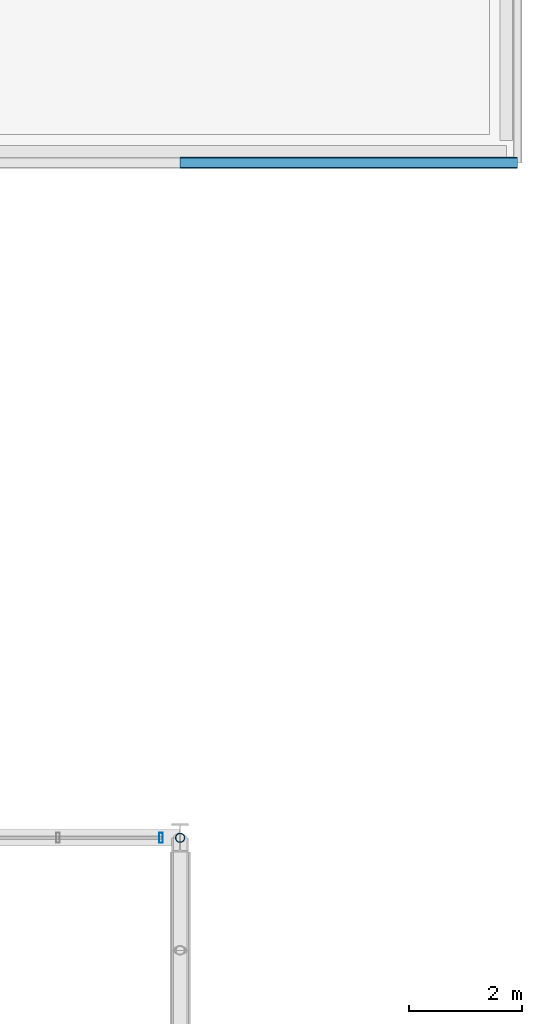
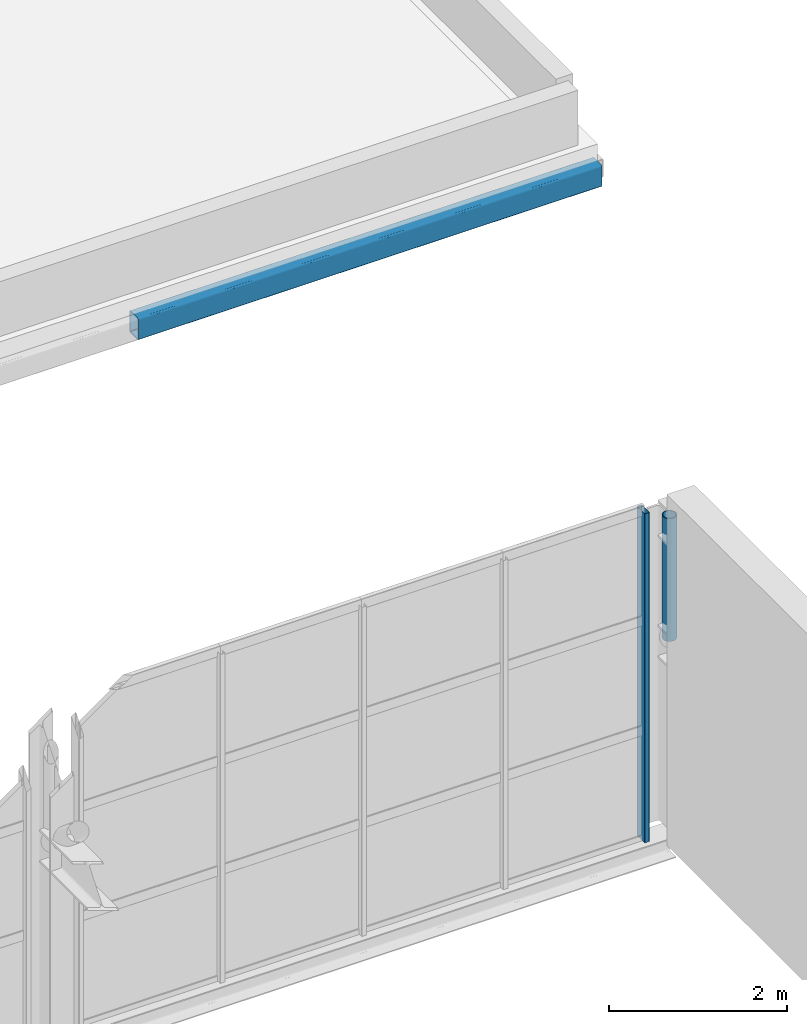
# One storey, part 98 of 143: 2 members, 1 beam, 1 element without a shape of its own.
"""IFC4 building model written with IfcOpenShell, lengths in metres."""

from ifc_helpers import new_model, si_unit, derived_unit, direction, frame, origin, origin_2d, place, context, subcontext, project, spatial, hollow_rectangle, hollow_circle, extrude, material, material_profile, profile_set, type_object, element, aggregate, save


model = new_model("IFC4")

# Units and contexts
model_context = context("Model", 3, precision=1e-05, world=origin(), true_north=direction((0.0, 1.0)))
body_context = subcontext(model_context, "Body", "Model", "MODEL_VIEW")
ifc_project = project(units=[si_unit("LENGTHUNIT", "METRE"), si_unit("AREAUNIT", "SQUARE_METRE"), si_unit("VOLUMEUNIT", "CUBIC_METRE"), si_unit("PLANEANGLEUNIT", "RADIAN"), si_unit("MASSUNIT", "GRAM", prefix="KILO"), derived_unit("THERMALTRANSMITTANCEUNIT", [(si_unit("POWERUNIT", "WATT"), 1), (si_unit("LENGTHUNIT", "METRE"), -2), (si_unit("THERMODYNAMICTEMPERATUREUNIT", "KELVIN"), -1)])], contexts=[model_context])

# Site, building, storey
site_placement = place(None, origin())
site = spatial("IfcSite", under=ifc_project, at=site_placement, CompositionType="ELEMENT")
building_placement = place(site_placement, origin())
building = spatial("IfcBuilding", under=site, at=building_placement, Name="Keldorne Ridge Multi-Sports Centre", CompositionType="ELEMENT")
storey_placement = place(building_placement, frame((0.0, 0.0, 4.800048828125)))
storey = spatial("IfcBuildingStorey", under=building, at=storey_placement, Name="L01", CompositionType="ELEMENT", Elevation=4.800048828125)

# Beam
ifc_material_1 = material(Name="Steel S355", Category="steel")
ifc_material_profile_1 = material_profile(ifc_material_1, hollow_rectangle(XDim=0.199951171875, YDim=0.300048828125, WallThickness=0.012451171875, InnerFilletRadius=0.012451171875, OuterFilletRadius=0.02490234375, at=origin_2d()), Name="RHS 300x200x12.5")
ifc_profile_set_1 = profile_set([ifc_material_profile_1], Name="Steel S355")
beam_type = type_object("IfcBeamType", Name="BM-SP-01", PredefinedType="SPANDREL", material=ifc_profile_set_1)
beam_placement = place(storey_placement, frame((168.0, 66.0, -0.380126953125), z_axis=(1.0, 0.0, 0.0), x_axis=(0.0, 1.0, 0.0)))
element("IfcBeam", 1, at=beam_placement, inside=storey, type_object=beam_type, Name="L01 primary beam 13.66", PredefinedType="SPANDREL", context=body_context, shape_type="SweptSolid", body=[
    extrude(hollow_rectangle(XDim=0.199951171875, YDim=0.300048828125, WallThickness=0.012451171875, InnerFilletRadius=0.012451171875, OuterFilletRadius=0.02490234375, at=origin_2d()), origin(), (0.0, 0.0, 1.0), 6.0),
])

# Curtain wall, member
ifc_material_2 = material(Name="Anodized aluminium", Category="aluminium")
curtain_wall_type = type_object("IfcCurtainWallType", Name="CW-CW-08", PredefinedType="NOTDEFINED", material=ifc_material_2)
curtain_wall_placement = place(storey_placement, origin())
curtain_wall = element("IfcCurtainWall", 2, at=curtain_wall_placement, inside=storey, type_object=curtain_wall_type, Name="Lower Courts north clerestory 136", PredefinedType="NOTDEFINED")
ifc_material_profile_2 = material_profile(ifc_material_2, hollow_rectangle(XDim=0.06494140625, YDim=0.179931640625, WallThickness=0.00439453125, InnerFilletRadius=0.00439453125, OuterFilletRadius=0.009033203125, at=origin_2d()), Name="ALU MULLION 180x65x4.5")
ifc_profile_set_2 = profile_set([ifc_material_profile_2], Name="Anodized aluminium")
member_type_1 = type_object("IfcMemberType", Name="MEM-ML-01", PredefinedType="MULLION", material=ifc_profile_set_2)
member_1_placement = place(storey_placement, frame((167.659912109375, 54.0, 0.0), z_axis=(0.0, 0.0, 1.0), x_axis=(1.0, 0.0, 0.0)))
member_1 = element("IfcMember", 3, at=member_1_placement, type_object=member_type_1, Name="CW-136 vertical mullion 1", PredefinedType="MULLION", context=body_context, shape_type="SweptSolid", body=[
    extrude(hollow_rectangle(XDim=0.06494140625, YDim=0.179931640625, WallThickness=0.00439453125, InnerFilletRadius=0.00439453125, OuterFilletRadius=0.009033203125, at=origin_2d()), origin(), (0.0, 0.0, 1.0), 4.5),
])
aggregate(curtain_wall, [member_1])

# Member
ifc_material_profile_3 = material_profile(ifc_material_1, hollow_circle(Radius=0.084228515625, WallThickness=0.010009765625, at=origin_2d()), Name="CHS 168.3x10")
ifc_profile_set_3 = profile_set([ifc_material_profile_3], Name="Steel S355")
member_type_2 = type_object("IfcMemberType", Name="MEM-TV-01", PredefinedType="STRUT", material=ifc_profile_set_3)
member_2_placement = place(storey_placement, frame((168.0, 54.0, 2.6298828125), z_axis=(0.0, 0.0, 1.0), x_axis=(1.0, 0.0, 0.0)))
element("IfcMember", 4, at=member_2_placement, inside=storey, type_object=member_type_2, Name="Stacked Courts Warren TRUSS WT-L02-09 end post 24", PredefinedType="STRUT", context=body_context, shape_type="SweptSolid", body=[
    extrude(hollow_circle(Radius=0.084228515625, WallThickness=0.010009765625, at=origin_2d()), origin(), (0.0, 0.0, 1.0), 1.68017578125),
])

save(model, "model.ifc")
